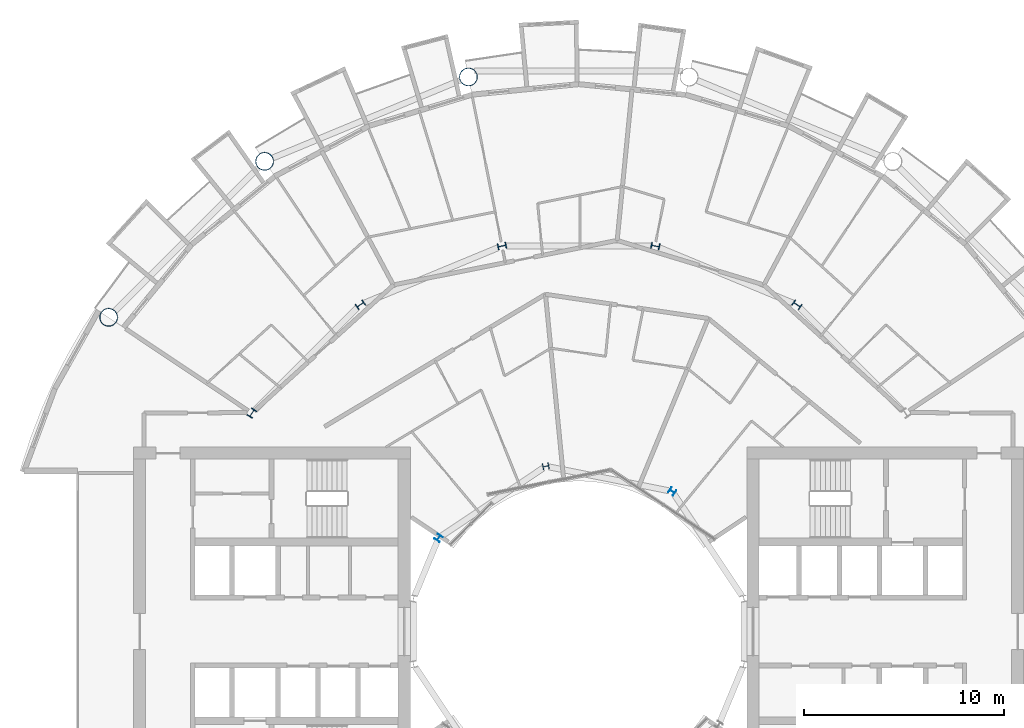
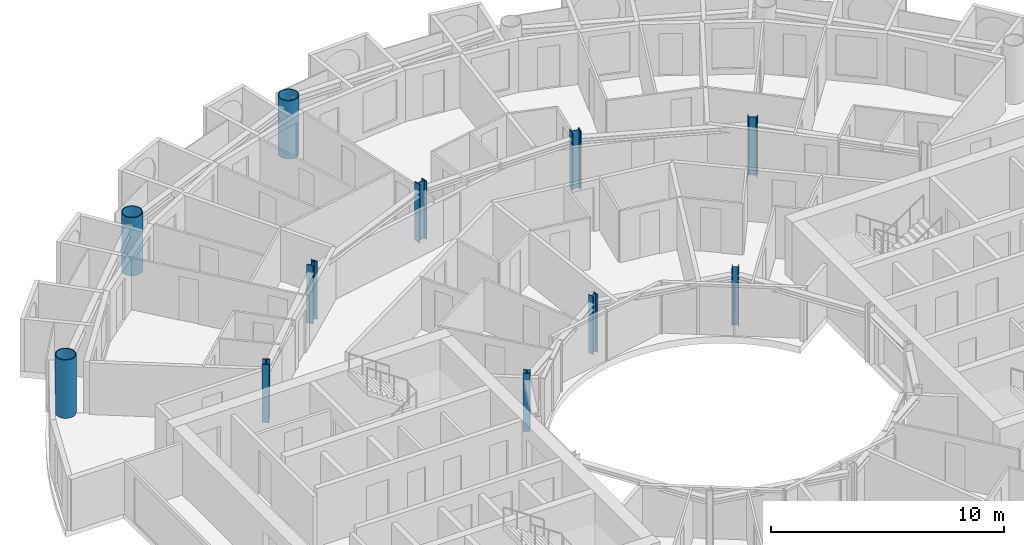
# One storey, part 3 of 28: 11 columns.
"""IFC4 building model written with IfcOpenShell, lengths in metres."""

import ifcopenshell
import ifcopenshell.guid

model = None  # the IFC model being written
_history = None  # IfcOwnerHistory: only IFC2X3 demands one
_inside = {}  # id of a spatial element -> (the spatial element, [elements in it])
_under = {}  # id of a project, library or spatial element -> (it, [spatial elements below it])
_declared = {}  # id of a project -> (the project, [libraries it declares])
_typed = {}  # id of a type object -> (the type object, [elements of that type])
_made_of = {}  # id of a material, layer set ... -> (it, [elements and type objects made of it])


def new_model(schema):
    """Start an empty IFC model of exactly this schema.

    Asked for "IFC4X3", IfcOpenShell would pick the latest addendum, in which some entities
    have other attributes; the version numbers below select the first issue.
    IFC2X3 requires an IfcOwnerHistory on every rooted entity: one is made here for all.
    """
    global model, _history
    if schema == "IFC4X3":
        model = ifcopenshell.file(schema_version=(4, 3, 0, 0))
    else:
        model = ifcopenshell.file(schema=schema)
    _inside.clear()
    _under.clear()
    _declared.clear()
    _typed.clear()
    _made_of.clear()
    _history = None
    if model.schema == "IFC2X3":
        org = make("IfcOrganization", Name="unknown")
        user = make(
            "IfcPersonAndOrganization",
            ThePerson=make("IfcPerson", FamilyName="unknown"),
            TheOrganization=org,
        )
        app = make(
            "IfcApplication",
            ApplicationDeveloper=org,
            Version="unknown",
            ApplicationFullName="unknown",
            ApplicationIdentifier="unknown",
        )
        _history = make(
            "IfcOwnerHistory",
            OwningUser=user,
            OwningApplication=app,
            ChangeAction="ADDED",
            CreationDate=0,
        )
    return model


def make(cls, **values):
    """One entity of the class cls with the attributes given. An attribute that is None is left unset."""
    return model.create_entity(
        cls, **{name: value for name, value in values.items() if value is not None}
    )


def rooted(cls, **values):
    """An entity with a GlobalId (a new one), such as an element, a storey or a relation."""
    return make(cls, GlobalId=ifcopenshell.guid.new(), OwnerHistory=_history, **values)


def si_unit(unit_type, name, prefix=None):
    """IfcSIUnit, for example si_unit("LENGTHUNIT", "METRE", prefix="MILLI")."""
    return make("IfcSIUnit", UnitType=unit_type, Prefix=prefix, Name=name)


def assignment(units):
    """IfcUnitAssignment: the units of a project."""
    return None if units is None else make("IfcUnitAssignment", Units=units)


def point(xyz):
    """IfcCartesianPoint."""
    return None if xyz is None else make("IfcCartesianPoint", Coordinates=xyz)


def direction(xyz):
    """IfcDirection."""
    return None if xyz is None else make("IfcDirection", DirectionRatios=xyz)


def frame(location, z_axis=None, x_axis=None):
    """IfcAxis2Placement3D, a coordinate frame: its origin and axes. An axis left out is left unset."""
    return make(
        "IfcAxis2Placement3D",
        Location=point(location),
        Axis=direction(z_axis),
        RefDirection=direction(x_axis),
    )


def frame_2d(location, x_axis=None):
    """IfcAxis2Placement2D, a coordinate frame in the plane: its origin and x axis."""
    return make(
        "IfcAxis2Placement2D", Location=point(location), RefDirection=direction(x_axis)
    )


def origin():
    """The frame at (0, 0, 0) with its axes left unset."""
    return frame((0.0, 0.0, 0.0))


def origin_2d():
    """The frame at (0, 0) in the plane with its x axis left unset."""
    return frame_2d((0.0, 0.0))


def place(relative_to, where):
    """IfcLocalPlacement: puts the frame where relative to a parent placement (None: the world)."""
    return make(
        "IfcLocalPlacement", PlacementRelTo=relative_to, RelativePlacement=where
    )


def context(
    kind, dimensions, precision=None, world=None, true_north=None, identifier=None
):
    """IfcGeometricRepresentationContext, for example the 3D "Model" context."""
    return make(
        "IfcGeometricRepresentationContext",
        ContextIdentifier=identifier,
        ContextType=kind,
        CoordinateSpaceDimension=dimensions,
        Precision=precision,
        WorldCoordinateSystem=world,
        TrueNorth=true_north,
    )


def subcontext(parent, identifier, kind, view, scale=None):
    """IfcGeometricRepresentationSubContext, for example "Body" below "Model"."""
    return make(
        "IfcGeometricRepresentationSubContext",
        ContextIdentifier=identifier,
        ContextType=kind,
        ParentContext=parent,
        TargetScale=scale,
        TargetView=view,
    )


def project(units=None, contexts=None):
    """IfcProject with its units and contexts."""
    return rooted(
        "IfcProject",
        Name="project",
        RepresentationContexts=contexts,
        UnitsInContext=assignment(units),
    )


def spatial(cls, under=None, at=None, **own):
    """A site, building, storey or space (cls), placed at a placement, below another one or the project."""
    s = rooted(cls, ObjectPlacement=at, **own)
    if under is not None:
        _under.setdefault(under.id(), (under, []))[1].append(s)
    return s


def profile(cls, at=None, kind="AREA", **sizes):
    """A parametric profile (cls). Its sizes go by their IFC names, for example OverallWidth=200.0."""
    return make(cls, ProfileType=kind, Position=at, **sizes)


def hollow_circle(**sizes):
    """IfcCircleHollowProfileDef."""
    return profile("IfcCircleHollowProfileDef", **sizes)


def i_section(**sizes):
    """IfcIShapeProfileDef."""
    return profile("IfcIShapeProfileDef", **sizes)


def extrude(swept, where, along, depth):
    """IfcExtrudedAreaSolid: the profile swept, set in the frame where, extruded along a direction by depth."""
    return make(
        "IfcExtrudedAreaSolid",
        SweptArea=swept,
        Position=where,
        ExtrudedDirection=direction(along),
        Depth=depth,
    )


def shape(context_of_items, identifier, shape_type, items):
    """IfcShapeRepresentation: the items that make up one representation, for example the "Body"."""
    return make(
        "IfcShapeRepresentation",
        ContextOfItems=context_of_items,
        RepresentationIdentifier=identifier,
        RepresentationType=shape_type,
        Items=items,
    )


def material(Name=None, Category=None):
    """IfcMaterial."""
    return make("IfcMaterial", Name=Name, Category=Category)


def material_profile(
    of_material, cross_section, Name=None, Category=None, Priority=None
):
    """IfcMaterialProfile: a cross section and its material."""
    return make(
        "IfcMaterialProfile",
        Name=Name,
        Material=of_material,
        Profile=cross_section,
        Priority=Priority,
        Category=Category,
    )


def profile_set(profiles, Name=None, composite=None):
    """IfcMaterialProfileSet."""
    return make(
        "IfcMaterialProfileSet",
        Name=Name,
        MaterialProfiles=profiles,
        CompositeProfile=composite,
    )


def made_of(thing, what):
    """Note that an element or type object is made of a material, layer set ...; save() writes the relation."""
    if what is not None:
        _made_of.setdefault(what.id(), (what, []))[1].append(thing)
    return thing


def type_object(cls, material=None, **own):
    """A type object (cls), such as IfcWallType, which elements share."""
    return made_of(rooted(cls, **own), material)


def element(
    cls,
    number,
    at=None,
    inside=None,
    cuts=None,
    type_object=None,
    material=None,
    context=None,
    identifier="Body",
    shape_type=None,
    held_by="IfcProductDefinitionShape",
    body=None,
    shapes=None,
    **own,
):
    """One element of the class cls, such as IfcWall. Its Tag is "e" and its number.

    at: its placement. inside: the storey or other place that contains it. cuts: it is an
    opening in that element (IfcRelVoidsElement). A single representation is given by context,
    identifier, shape_type and body (its items); several are given by shapes. held_by: the class
    of the entity that holds the representations. save() writes the other relations.
    """
    e = rooted(cls, Tag="e%d" % number, ObjectPlacement=at, **own)
    if body is not None:
        shapes = [shape(context, identifier, shape_type, body)]
    if shapes is not None:
        e.Representation = make(held_by, Representations=shapes)
    if inside is not None:
        _inside.setdefault(inside.id(), (inside, []))[1].append(e)
    if cuts is not None:
        rooted(
            "IfcRelVoidsElement", RelatingBuildingElement=cuts, RelatedOpeningElement=e
        )
    if type_object is not None:
        _typed.setdefault(type_object.id(), (type_object, []))[1].append(e)
    return made_of(e, material)


def aggregate(whole, parts):
    """IfcRelAggregates: a whole, such as a stair, and the parts it consists of."""
    return rooted("IfcRelAggregates", RelatingObject=whole, RelatedObjects=parts)


def save(model, path):
    """Write the relations noted so far, then the file.

    IfcRelAggregates (storeys below a building ...), IfcRelContainedInSpatialStructure (elements
    in a storey), IfcRelDefinesByType, IfcRelAssociatesMaterial and IfcRelDeclares: one each for
    every whole, place, type object, material and project.
    """
    for whole, parts in _under.values():
        aggregate(whole, parts)
    for where, things in _inside.values():
        rooted(
            "IfcRelContainedInSpatialStructure",
            RelatedElements=things,
            RelatingStructure=where,
        )
    for kind, things in _typed.values():
        rooted("IfcRelDefinesByType", RelatedObjects=things, RelatingType=kind)
    for what, things in _made_of.values():
        rooted("IfcRelAssociatesMaterial", RelatedObjects=things, RelatingMaterial=what)
    for by, libraries in _declared.values():
        rooted("IfcRelDeclares", RelatingContext=by, RelatedDefinitions=libraries)
    model.write(path)


model = new_model("IFC4")

# Units and contexts
model_context = context("Model", 3, precision=1e-05, world=origin(), true_north=direction((0.0, 1.0)))
body_context = subcontext(model_context, "Body", "Model", "MODEL_VIEW")
ifc_project = project(units=[si_unit("LENGTHUNIT", "METRE"), si_unit("AREAUNIT", "SQUARE_METRE"), si_unit("VOLUMEUNIT", "CUBIC_METRE"), si_unit("PLANEANGLEUNIT", "RADIAN"), si_unit("MASSUNIT", "GRAM", prefix="KILO")], contexts=[model_context])

# Site, building, storey
site_placement = place(None, origin())
site = spatial("IfcSite", under=ifc_project, at=site_placement, CompositionType="ELEMENT")
building_placement = place(site_placement, origin())
building = spatial("IfcBuilding", under=site, at=building_placement, Name="Maasbend Ring Residences", CompositionType="ELEMENT")
storey_placement = place(building_placement, frame((0.0, 0.0, 129.949951171875)))
storey = spatial("IfcBuildingStorey", under=building, at=storey_placement, Name="L37", CompositionType="ELEMENT", Elevation=129.949951171875)

# Columns
ifc_material_1 = material(Name="Composite concrete-filled steel tube S460NH / C80/95", Category="concrete")
ifc_material_profile_1 = material_profile(ifc_material_1, hollow_circle(Radius=0.45703125, WallThickness=0.0400390625, at=origin_2d()), Name="Composite tube column CHS 914x40")
ifc_profile_set_1 = profile_set([ifc_material_profile_1], Name="Composite concrete-filled steel tube S460NH / C80/95")
column_type_1 = type_object("IfcColumnType", Name="Composite tube column CHS 914x40", PredefinedType="COLUMN", material=ifc_profile_set_1)
for number, where, z_axis, x_axis, name in (
    (1, (-5.50146484375, 27.658203125, 0.0), (0.0, 0.0, 1.0), (1.0, 0.0, 0.0), "Outer column R5"),
    (2, (-15.6669921875, 23.447509765625, 0.0), (0.0, 0.0, 1.0), (1.0, 0.0, 0.0), "Outer column R6"),
    (3, (-23.447509765625, 15.6669921875, 0.0), (0.0, 0.0, 1.0), (1.0, 0.0, 0.0), "Outer column R7"),
):
    element("IfcColumn", number, at=place(storey_placement, frame(where, z_axis=z_axis, x_axis=x_axis)), inside=storey, type_object=column_type_1, Name=name, PredefinedType="COLUMN", context=body_context, shape_type="SweptSolid", body=[
        extrude(hollow_circle(Radius=0.45703125, WallThickness=0.0400390625, at=origin_2d()), origin(), (0.0, 0.0, 1.0), 3.050048828125),
    ])
ifc_material_2 = material(Name="Steel S355J2", Category="steel")
ifc_material_profile_2 = material_profile(ifc_material_2, i_section(OverallWidth=0.300048828125, OverallDepth=0.300048828125, WebThickness=0.010986328125, FlangeThickness=0.01904296875, FilletRadius=0.027099609375, at=origin_2d()), Name="HEB 300")
ifc_profile_set_2 = profile_set([ifc_material_profile_2], Name="Steel S355J2")
column_type_2 = type_object("IfcColumnType", Name="Steel column HEB 300", PredefinedType="COLUMN", material=ifc_profile_set_2)
for number, where, z_axis, x_axis, name in (
    (4, (4.666748046875, 6.984375, 0.0), (0.0, 0.0, 1.0), (0.55557023302, 0.831469612303, 0.0), "Well ring column R3"),
    (5, (-1.638916015625, 8.238525390625, 0.0), (0.0, 0.0, 1.0), (-0.195090322016, 0.980785280403, 0.0), "Well ring column R5"),
    (6, (-6.984375, 4.666748046875, 0.0), (0.0, 0.0, 1.0), (-0.831469612303, 0.55557023302, 0.0), "Well ring column R7"),
):
    element("IfcColumn", number, at=place(storey_placement, frame(where, z_axis=z_axis, x_axis=x_axis)), inside=storey, type_object=column_type_2, Name=name, PredefinedType="COLUMN", context=body_context, shape_type="SweptSolid", body=[
        extrude(i_section(OverallWidth=0.300048828125, OverallDepth=0.300048828125, WebThickness=0.010986328125, FlangeThickness=0.01904296875, FilletRadius=0.027099609375, at=origin_2d()), origin(), (0.0, 0.0, 1.0), 3.050048828125),
    ])
ifc_material_3 = material(Name="Steel S460M", Category="steel")
ifc_material_profile_3 = material_profile(ifc_material_3, i_section(OverallWidth=0.306884765625, OverallDepth=0.431884765625, WebThickness=0.02099609375, FlangeThickness=0.0400390625, FilletRadius=0.027099609375, at=origin_2d()), Name="HEM 400")
ifc_profile_set_3 = profile_set([ifc_material_profile_3], Name="Steel S460M")
column_type_3 = type_object("IfcColumnType", Name="Steel column HEM 400", PredefinedType="COLUMN", material=ifc_profile_set_3)
for number, where, z_axis, x_axis, name in (
    (7, (10.88916015625, 16.296875, 0.0), (0.0, 0.0, 1.0), (0.55557023302, 0.831469612303, 0.0), "Corridor ring column R3"),
    (8, (3.82373046875, 19.223388671875, 0.0), (0.0, 0.0, 1.0), (0.195090322016, 0.980785280403, 0.0), "Corridor ring column R4"),
    (9, (-3.82373046875, 19.223388671875, 0.0), (0.0, 0.0, 1.0), (-0.195090322016, 0.980785280403, 0.0), "Corridor ring column R5"),
    (10, (-10.88916015625, 16.296875, 0.0), (0.0, 0.0, 1.0), (-0.55557023302, 0.831469612303, 0.0), "Corridor ring column R6"),
    (11, (-16.296875, 10.88916015625, 0.0), (0.0, 0.0, 1.0), (-0.831469612303, 0.55557023302, 0.0), "Corridor ring column R7"),
):
    element("IfcColumn", number, at=place(storey_placement, frame(where, z_axis=z_axis, x_axis=x_axis)), inside=storey, type_object=column_type_3, Name=name, PredefinedType="COLUMN", context=body_context, shape_type="SweptSolid", body=[
        extrude(i_section(OverallWidth=0.306884765625, OverallDepth=0.431884765625, WebThickness=0.02099609375, FlangeThickness=0.0400390625, FilletRadius=0.027099609375, at=origin_2d()), origin(), (0.0, 0.0, 1.0), 3.050048828125),
    ])

save(model, "model.ifc")
